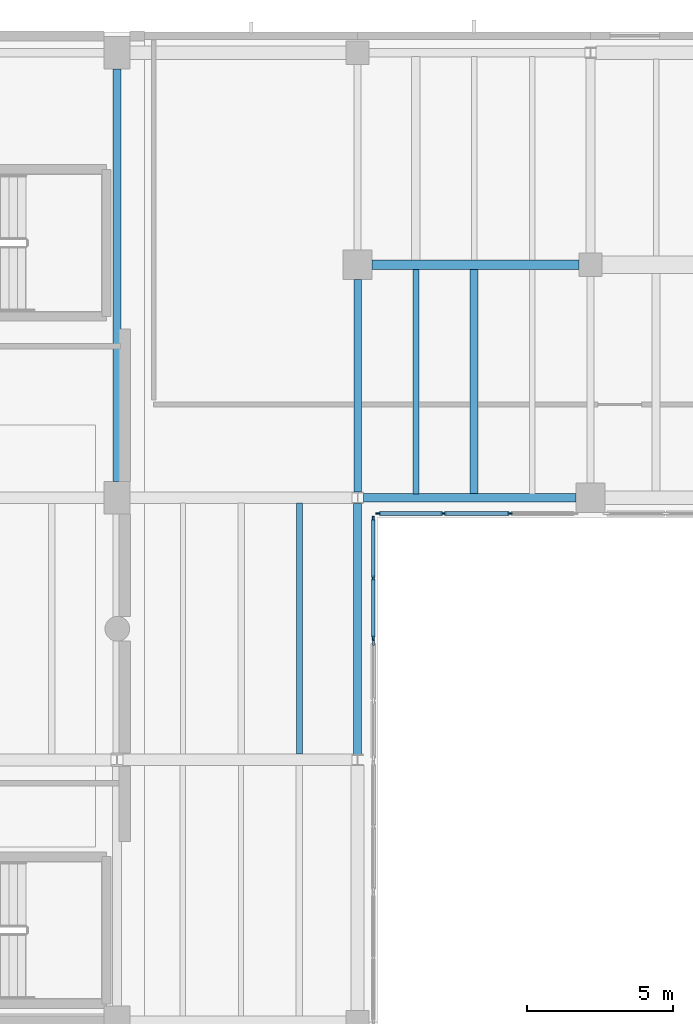
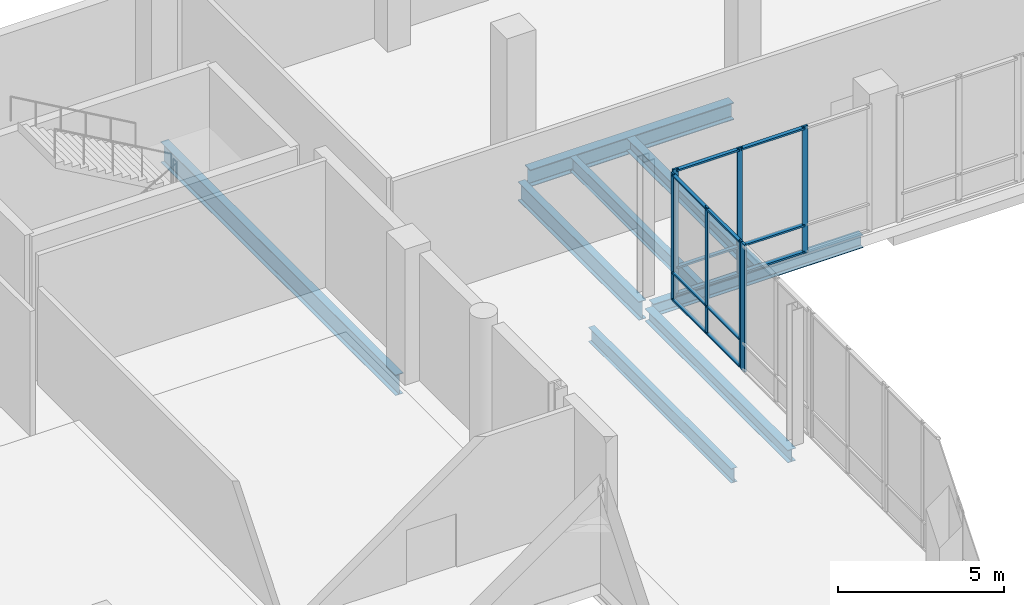
# One storey, part 48 of 88: 19 members, 8 beams, 3 elements without a shape of their own.
"""IFC4 building model written with IfcOpenShell, lengths in metres."""

import ifcopenshell
import ifcopenshell.guid

model = None  # the IFC model being written
_history = None  # IfcOwnerHistory: only IFC2X3 demands one
_inside = {}  # id of a spatial element -> (the spatial element, [elements in it])
_under = {}  # id of a project, library or spatial element -> (it, [spatial elements below it])
_declared = {}  # id of a project -> (the project, [libraries it declares])
_typed = {}  # id of a type object -> (the type object, [elements of that type])
_made_of = {}  # id of a material, layer set ... -> (it, [elements and type objects made of it])


def new_model(schema):
    """Start an empty IFC model of exactly this schema.

    Asked for "IFC4X3", IfcOpenShell would pick the latest addendum, in which some entities
    have other attributes; the version numbers below select the first issue.
    IFC2X3 requires an IfcOwnerHistory on every rooted entity: one is made here for all.
    """
    global model, _history
    if schema == "IFC4X3":
        model = ifcopenshell.file(schema_version=(4, 3, 0, 0))
    else:
        model = ifcopenshell.file(schema=schema)
    _inside.clear()
    _under.clear()
    _declared.clear()
    _typed.clear()
    _made_of.clear()
    _history = None
    if model.schema == "IFC2X3":
        org = make("IfcOrganization", Name="unknown")
        user = make(
            "IfcPersonAndOrganization",
            ThePerson=make("IfcPerson", FamilyName="unknown"),
            TheOrganization=org,
        )
        app = make(
            "IfcApplication",
            ApplicationDeveloper=org,
            Version="unknown",
            ApplicationFullName="unknown",
            ApplicationIdentifier="unknown",
        )
        _history = make(
            "IfcOwnerHistory",
            OwningUser=user,
            OwningApplication=app,
            ChangeAction="ADDED",
            CreationDate=0,
        )
    return model


def make(cls, **values):
    """One entity of the class cls with the attributes given. An attribute that is None is left unset."""
    return model.create_entity(
        cls, **{name: value for name, value in values.items() if value is not None}
    )


def rooted(cls, **values):
    """An entity with a GlobalId (a new one), such as an element, a storey or a relation."""
    return make(cls, GlobalId=ifcopenshell.guid.new(), OwnerHistory=_history, **values)


def si_unit(unit_type, name, prefix=None):
    """IfcSIUnit, for example si_unit("LENGTHUNIT", "METRE", prefix="MILLI")."""
    return make("IfcSIUnit", UnitType=unit_type, Prefix=prefix, Name=name)


def assignment(units):
    """IfcUnitAssignment: the units of a project."""
    return None if units is None else make("IfcUnitAssignment", Units=units)


def point(xyz):
    """IfcCartesianPoint."""
    return None if xyz is None else make("IfcCartesianPoint", Coordinates=xyz)


def direction(xyz):
    """IfcDirection."""
    return None if xyz is None else make("IfcDirection", DirectionRatios=xyz)


def frame(location, z_axis=None, x_axis=None):
    """IfcAxis2Placement3D, a coordinate frame: its origin and axes. An axis left out is left unset."""
    return make(
        "IfcAxis2Placement3D",
        Location=point(location),
        Axis=direction(z_axis),
        RefDirection=direction(x_axis),
    )


def frame_2d(location, x_axis=None):
    """IfcAxis2Placement2D, a coordinate frame in the plane: its origin and x axis."""
    return make(
        "IfcAxis2Placement2D", Location=point(location), RefDirection=direction(x_axis)
    )


def origin():
    """The frame at (0, 0, 0) with its axes left unset."""
    return frame((0.0, 0.0, 0.0))


def origin_2d():
    """The frame at (0, 0) in the plane with its x axis left unset."""
    return frame_2d((0.0, 0.0))


def place(relative_to, where):
    """IfcLocalPlacement: puts the frame where relative to a parent placement (None: the world)."""
    return make(
        "IfcLocalPlacement", PlacementRelTo=relative_to, RelativePlacement=where
    )


def context(
    kind, dimensions, precision=None, world=None, true_north=None, identifier=None
):
    """IfcGeometricRepresentationContext, for example the 3D "Model" context."""
    return make(
        "IfcGeometricRepresentationContext",
        ContextIdentifier=identifier,
        ContextType=kind,
        CoordinateSpaceDimension=dimensions,
        Precision=precision,
        WorldCoordinateSystem=world,
        TrueNorth=true_north,
    )


def subcontext(parent, identifier, kind, view, scale=None):
    """IfcGeometricRepresentationSubContext, for example "Body" below "Model"."""
    return make(
        "IfcGeometricRepresentationSubContext",
        ContextIdentifier=identifier,
        ContextType=kind,
        ParentContext=parent,
        TargetScale=scale,
        TargetView=view,
    )


def project(units=None, contexts=None):
    """IfcProject with its units and contexts."""
    return rooted(
        "IfcProject",
        Name="project",
        RepresentationContexts=contexts,
        UnitsInContext=assignment(units),
    )


def spatial(cls, under=None, at=None, **own):
    """A site, building, storey or space (cls), placed at a placement, below another one or the project."""
    s = rooted(cls, ObjectPlacement=at, **own)
    if under is not None:
        _under.setdefault(under.id(), (under, []))[1].append(s)
    return s


def profile(cls, at=None, kind="AREA", **sizes):
    """A parametric profile (cls). Its sizes go by their IFC names, for example OverallWidth=200.0."""
    return make(cls, ProfileType=kind, Position=at, **sizes)


def rectangle(**sizes):
    """IfcRectangleProfileDef."""
    return profile("IfcRectangleProfileDef", **sizes)


def i_section(**sizes):
    """IfcIShapeProfileDef."""
    return profile("IfcIShapeProfileDef", **sizes)


def extrude(swept, where, along, depth):
    """IfcExtrudedAreaSolid: the profile swept, set in the frame where, extruded along a direction by depth."""
    return make(
        "IfcExtrudedAreaSolid",
        SweptArea=swept,
        Position=where,
        ExtrudedDirection=direction(along),
        Depth=depth,
    )


def shape(context_of_items, identifier, shape_type, items):
    """IfcShapeRepresentation: the items that make up one representation, for example the "Body"."""
    return make(
        "IfcShapeRepresentation",
        ContextOfItems=context_of_items,
        RepresentationIdentifier=identifier,
        RepresentationType=shape_type,
        Items=items,
    )


def material(Name=None, Category=None):
    """IfcMaterial."""
    return make("IfcMaterial", Name=Name, Category=Category)


def material_profile(
    of_material, cross_section, Name=None, Category=None, Priority=None
):
    """IfcMaterialProfile: a cross section and its material."""
    return make(
        "IfcMaterialProfile",
        Name=Name,
        Material=of_material,
        Profile=cross_section,
        Priority=Priority,
        Category=Category,
    )


def profile_set(profiles, Name=None, composite=None):
    """IfcMaterialProfileSet."""
    return make(
        "IfcMaterialProfileSet",
        Name=Name,
        MaterialProfiles=profiles,
        CompositeProfile=composite,
    )


def made_of(thing, what):
    """Note that an element or type object is made of a material, layer set ...; save() writes the relation."""
    if what is not None:
        _made_of.setdefault(what.id(), (what, []))[1].append(thing)
    return thing


def type_object(cls, material=None, **own):
    """A type object (cls), such as IfcWallType, which elements share."""
    return made_of(rooted(cls, **own), material)


def element(
    cls,
    number,
    at=None,
    inside=None,
    cuts=None,
    type_object=None,
    material=None,
    context=None,
    identifier="Body",
    shape_type=None,
    held_by="IfcProductDefinitionShape",
    body=None,
    shapes=None,
    **own,
):
    """One element of the class cls, such as IfcWall. Its Tag is "e" and its number.

    at: its placement. inside: the storey or other place that contains it. cuts: it is an
    opening in that element (IfcRelVoidsElement). A single representation is given by context,
    identifier, shape_type and body (its items); several are given by shapes. held_by: the class
    of the entity that holds the representations. save() writes the other relations.
    """
    e = rooted(cls, Tag="e%d" % number, ObjectPlacement=at, **own)
    if body is not None:
        shapes = [shape(context, identifier, shape_type, body)]
    if shapes is not None:
        e.Representation = make(held_by, Representations=shapes)
    if inside is not None:
        _inside.setdefault(inside.id(), (inside, []))[1].append(e)
    if cuts is not None:
        rooted(
            "IfcRelVoidsElement", RelatingBuildingElement=cuts, RelatedOpeningElement=e
        )
    if type_object is not None:
        _typed.setdefault(type_object.id(), (type_object, []))[1].append(e)
    return made_of(e, material)


def aggregate(whole, parts):
    """IfcRelAggregates: a whole, such as a stair, and the parts it consists of."""
    return rooted("IfcRelAggregates", RelatingObject=whole, RelatedObjects=parts)


def save(model, path):
    """Write the relations noted so far, then the file.

    IfcRelAggregates (storeys below a building ...), IfcRelContainedInSpatialStructure (elements
    in a storey), IfcRelDefinesByType, IfcRelAssociatesMaterial and IfcRelDeclares: one each for
    every whole, place, type object, material and project.
    """
    for whole, parts in _under.values():
        aggregate(whole, parts)
    for where, things in _inside.values():
        rooted(
            "IfcRelContainedInSpatialStructure",
            RelatedElements=things,
            RelatingStructure=where,
        )
    for kind, things in _typed.values():
        rooted("IfcRelDefinesByType", RelatedObjects=things, RelatingType=kind)
    for what, things in _made_of.values():
        rooted("IfcRelAssociatesMaterial", RelatedObjects=things, RelatingMaterial=what)
    for by, libraries in _declared.values():
        rooted("IfcRelDeclares", RelatingContext=by, RelatedDefinitions=libraries)
    model.write(path)


model = new_model("IFC4")

# Units and contexts
model_context = context("Model", 3, precision=1e-05, world=origin(), true_north=direction((0.0, 1.0)))
body_context = subcontext(model_context, "Body", "Model", "MODEL_VIEW")
ifc_project = project(units=[si_unit("LENGTHUNIT", "METRE"), si_unit("AREAUNIT", "SQUARE_METRE"), si_unit("VOLUMEUNIT", "CUBIC_METRE"), si_unit("PLANEANGLEUNIT", "RADIAN"), si_unit("MASSUNIT", "GRAM", prefix="KILO")], contexts=[model_context])

# Site, building, storey
site_placement = place(None, origin())
site = spatial("IfcSite", under=ifc_project, at=site_placement, CompositionType="ELEMENT")
building_placement = place(site_placement, origin())
building = spatial("IfcBuilding", under=site, at=building_placement, Name="Trimount Lyric Opera House", CompositionType="ELEMENT")
storey_placement = place(building_placement, origin())
storey = spatial("IfcBuildingStorey", under=building, at=storey_placement, Name="L00", CompositionType="ELEMENT", Elevation=0.0)

# Beams
ifc_material_1 = material(Name="Steel ASTM A992 Grade 50", Category="steel")
ifc_material_profile_1 = material_profile(ifc_material_1, i_section(OverallWidth=0.26708984375, OverallDepth=0.761962890625, WebThickness=0.014404296875, FlangeThickness=0.021484375, FilletRadius=0.01708984375, at=origin_2d()), Name="W30X116")
ifc_profile_set_1 = profile_set([ifc_material_profile_1], Name="Steel ASTM A992 Grade 50")
beam_type_1 = type_object("IfcBeamType", Name="B-07", PredefinedType="BEAM", material=ifc_profile_set_1)
beam_1_placement = place(storey_placement, frame((113.739990234375, 102.550048828125, -0.781005859375), z_axis=(0.0, 1.0, 0.0), x_axis=(-1.0, 0.0, 0.0)))
element("IfcBeam", 1, at=beam_1_placement, inside=storey, type_object=beam_type_1, Name="L00 girder Y-0380", PredefinedType="BEAM", context=body_context, shape_type="SweptSolid", body=[
    extrude(i_section(OverallWidth=0.26708984375, OverallDepth=0.761962890625, WebThickness=0.014404296875, FlangeThickness=0.021484375, FilletRadius=0.01708984375, at=origin_2d()), origin(), (0.0, 0.0, 1.0), 14.179931640625),
])
ifc_material_2 = material(Name="Steel ASTM A992 Grade 50", Category="steel")
ifc_material_profile_2 = material_profile(ifc_material_2, i_section(OverallWidth=0.25390625, OverallDepth=0.68798828125, WebThickness=0.01318359375, FlangeThickness=0.02099609375, FilletRadius=0.01611328125, at=origin_2d()), Name="W27X102")
ifc_profile_set_2 = profile_set([ifc_material_profile_2], Name="Steel ASTM A992 Grade 50")
beam_type_2 = type_object("IfcBeamType", Name="B-09", PredefinedType="BEAM", material=ifc_profile_set_2)
beam_2_placement = place(storey_placement, frame((122.0, 102.193115234375, -0.72412109375), z_axis=(0.0, 1.0, 0.0), x_axis=(-1.0, 0.0, 0.0)))
element("IfcBeam", 2, at=beam_2_placement, inside=storey, type_object=beam_type_2, Name="L00 girder Y-0392", PredefinedType="BEAM", context=body_context, shape_type="SweptSolid", body=[
    extrude(i_section(OverallWidth=0.25390625, OverallDepth=0.68798828125, WebThickness=0.01318359375, FlangeThickness=0.02099609375, FilletRadius=0.01611328125, at=origin_2d()), origin(), (0.0, 0.0, 1.0), 7.306884765625),
])
ifc_material_3 = material(Name="Steel ASTM A992 Grade 50", Category="steel")
ifc_material_profile_3 = material_profile(ifc_material_3, i_section(OverallWidth=0.327880859375, OverallDepth=0.626953125, WebThickness=0.0166015625, FlangeThickness=0.027587890625, FilletRadius=0.01611328125, at=origin_2d()), Name="W24X146")
ifc_profile_set_3 = profile_set([ifc_material_profile_3], Name="Steel ASTM A992 Grade 50")
beam_type_3 = type_object("IfcBeamType", Name="B-10", PredefinedType="BEAM", material=ifc_profile_set_3)
beam_3_placement = place(storey_placement, frame((122.5, 110.0, -0.693603515625), z_axis=(1.0, 0.0, 0.0), x_axis=(0.0, 1.0, 0.0)))
element("IfcBeam", 3, at=beam_3_placement, inside=storey, type_object=beam_type_3, Name="L00 girder X-0212", PredefinedType="BEAM", context=body_context, shape_type="SweptSolid", body=[
    extrude(i_section(OverallWidth=0.327880859375, OverallDepth=0.626953125, WebThickness=0.0166015625, FlangeThickness=0.027587890625, FilletRadius=0.01611328125, at=origin_2d()), origin(), (0.0, 0.0, 1.0), 7.10009765625),
])
ifc_material_4 = material(Name="Steel ASTM A992 Grade 50", Category="steel")
ifc_material_profile_4 = material_profile(ifc_material_4, i_section(OverallWidth=0.2099609375, OverallDepth=0.532958984375, WebThickness=0.01025390625, FlangeThickness=0.015625, FilletRadius=0.012939453125, at=origin_2d()), Name="W21X62")
ifc_profile_set_4 = profile_set([ifc_material_profile_4], Name="Steel ASTM A992 Grade 50")
beam_type_4 = type_object("IfcBeamType", Name="J-02", PredefinedType="BEAM", material=ifc_profile_set_4)
beam_4_placement = place(storey_placement, frame((120.0, 93.196533203125, -0.646484375), z_axis=(0.0, 1.0, 0.0), x_axis=(-1.0, 0.0, 0.0)))
element("IfcBeam", 4, at=beam_4_placement, inside=storey, type_object=beam_type_4, Name="L00 composite floor joist 0368", PredefinedType="BEAM", context=body_context, shape_type="SweptSolid", body=[
    extrude(i_section(OverallWidth=0.2099609375, OverallDepth=0.532958984375, WebThickness=0.01025390625, FlangeThickness=0.015625, FilletRadius=0.012939453125, at=origin_2d()), origin(), (0.0, 0.0, 1.0), 8.616455078125),
])
beam_5_placement = place(storey_placement, frame((124.0, 102.136962890625, -0.646484375), z_axis=(0.0, 1.0, 0.0), x_axis=(-1.0, 0.0, 0.0)))
element("IfcBeam", 5, at=beam_5_placement, inside=storey, type_object=beam_type_4, Name="L00 composite floor joist 0393", PredefinedType="BEAM", context=body_context, shape_type="SweptSolid", body=[
    extrude(i_section(OverallWidth=0.2099609375, OverallDepth=0.532958984375, WebThickness=0.01025390625, FlangeThickness=0.015625, FilletRadius=0.012939453125, at=origin_2d()), origin(), (0.0, 0.0, 1.0), 7.703125),
])
ifc_material_5 = material(Name="Steel ASTM A992 Grade 50", Category="steel")
ifc_material_profile_5 = material_profile(ifc_material_5, i_section(OverallWidth=0.281982421875, OverallDepth=0.467041015625, WebThickness=0.01220703125, FlangeThickness=0.01953125, FilletRadius=0.012939453125, at=origin_2d()), Name="W18X86")
ifc_profile_set_5 = profile_set([ifc_material_profile_5], Name="Steel ASTM A992 Grade 50")
beam_type_5 = type_object("IfcBeamType", Name="J-03", PredefinedType="BEAM", material=ifc_profile_set_5)
beam_6_placement = place(storey_placement, frame((126.0, 102.136962890625, -0.613525390625), z_axis=(0.0, 1.0, 0.0), x_axis=(-1.0, 0.0, 0.0)))
element("IfcBeam", 6, at=beam_6_placement, inside=storey, type_object=beam_type_5, Name="L00 composite floor joist 0394", PredefinedType="BEAM", context=body_context, shape_type="SweptSolid", body=[
    extrude(i_section(OverallWidth=0.281982421875, OverallDepth=0.467041015625, WebThickness=0.01220703125, FlangeThickness=0.01953125, FilletRadius=0.012939453125, at=origin_2d()), origin(), (0.0, 0.0, 1.0), 7.703125),
])

# Curtain wall, member
ifc_material_6 = material(Name="Thermally Broken Aluminium and Low-E Glass", Category="aluminium")
curtain_wall_type = type_object("IfcCurtainWallType", Name="CW-03", PredefinedType="NOTDEFINED", material=ifc_material_6)
curtain_wall_1_placement = place(storey_placement, origin())
curtain_wall_1 = element("IfcCurtainWall", 7, at=curtain_wall_1_placement, inside=storey, type_object=curtain_wall_type, Name="L00 curtain wall 054", PredefinedType="NOTDEFINED")
ifc_material_7 = material(Name="Anodised Aluminium 6063-T6", Category="aluminium")
ifc_material_profile_6 = material_profile(ifc_material_7, rectangle(XDim=0.070068359375, YDim=0.219970703125, at=origin_2d()), Name="ALU-MULL-70X220")
ifc_profile_set_6 = profile_set([ifc_material_profile_6], Name="Anodised Aluminium 6063-T6")
member_type_1 = type_object("IfcMemberType", Name="ML-01", PredefinedType="MULLION", material=ifc_profile_set_6)
member_1_placement = place(storey_placement, frame((122.5400390625, 97.034912109375, 0.0), z_axis=(0.0, 0.0, 1.0), x_axis=(1.0, 0.0, 0.0)))
member_1 = element("IfcMember", 8, at=member_1_placement, type_object=member_type_1, Name="CW-03 mullion 1", PredefinedType="MULLION", context=body_context, shape_type="SweptSolid", body=[
    extrude(rectangle(XDim=0.070068359375, YDim=0.219970703125, at=origin_2d()), origin(), (0.0, 0.0, 1.0), 4.68994140625),
])
aggregate(curtain_wall_1, [member_1])

# Curtain wall, members
curtain_wall_2_placement = place(storey_placement, origin())
curtain_wall_2 = element("IfcCurtainWall", 9, at=curtain_wall_2_placement, inside=storey, type_object=curtain_wall_type, Name="L00 curtain wall 052", PredefinedType="NOTDEFINED")
ifc_material_8 = material(Name="Anodised Aluminium 6063-T6", Category="aluminium")
ifc_material_profile_7 = material_profile(ifc_material_8, rectangle(XDim=0.06494140625, YDim=0.179931640625, at=origin_2d()), Name="ALU-MULL-65X180")
ifc_profile_set_7 = profile_set([ifc_material_profile_7], Name="Anodised Aluminium 6063-T6")
member_type_2 = type_object("IfcMemberType", Name="ML-02", PredefinedType="MULLION", material=ifc_profile_set_7)
member_2_placement = place(storey_placement, frame((127.2265625, 101.4599609375, 0.0), z_axis=(0.0, 0.0, 1.0), x_axis=(0.0, -1.0, 0.0)))
member_2 = element("IfcMember", 10, at=member_2_placement, type_object=member_type_2, Name="CW-03 mullion 2", PredefinedType="MULLION", context=body_context, shape_type="SweptSolid", body=[
    extrude(rectangle(XDim=0.06494140625, YDim=0.179931640625, at=origin_2d()), origin(), (0.0, 0.0, 1.0), 4.68994140625),
])
member_3_placement = place(storey_placement, frame((124.953369140625, 101.4599609375, 0.0), z_axis=(0.0, 0.0, 1.0), x_axis=(0.0, -1.0, 0.0)))
member_3 = element("IfcMember", 11, at=member_3_placement, type_object=member_type_2, Name="CW-03 mullion 3", PredefinedType="MULLION", context=body_context, shape_type="SweptSolid", body=[
    extrude(rectangle(XDim=0.06494140625, YDim=0.179931640625, at=origin_2d()), origin(), (0.0, 0.0, 1.0), 4.68994140625),
])
member_4_placement = place(storey_placement, frame((122.71240234375, 101.4599609375, 0.0), z_axis=(0.0, 0.0, 1.0), x_axis=(0.0, -1.0, 0.0)))
member_4 = element("IfcMember", 12, at=member_4_placement, type_object=member_type_2, Name="CW-03 mullion 4", PredefinedType="MULLION", context=body_context, shape_type="SweptSolid", body=[
    extrude(rectangle(XDim=0.06494140625, YDim=0.179931640625, at=origin_2d()), origin(), (0.0, 0.0, 1.0), 4.68994140625),
])

curtain_wall_3_placement = place(storey_placement, origin())
curtain_wall_3 = element("IfcCurtainWall", 13, at=curtain_wall_3_placement, inside=storey, type_object=curtain_wall_type, Name="L00 curtain wall 053", PredefinedType="NOTDEFINED")
ifc_material_9 = material(Name="Anodised Aluminium 6063-T6", Category="aluminium")
ifc_material_profile_8 = material_profile(ifc_material_9, rectangle(XDim=0.06005859375, YDim=0.14990234375, at=origin_2d()), Name="ALU-MULL-60X150")
ifc_profile_set_8 = profile_set([ifc_material_profile_8], Name="Anodised Aluminium 6063-T6")
member_type_3 = type_object("IfcMemberType", Name="ML-03", PredefinedType="MULLION", material=ifc_profile_set_8)
member_5_placement = place(storey_placement, frame((122.5400390625, 101.2900390625, 0.0), z_axis=(0.0, 0.0, 1.0), x_axis=(1.0, 0.0, 0.0)))
member_5 = element("IfcMember", 14, at=member_5_placement, type_object=member_type_3, Name="CW-03 mullion 1", PredefinedType="MULLION", context=body_context, shape_type="SweptSolid", body=[
    extrude(rectangle(XDim=0.06005859375, YDim=0.14990234375, at=origin_2d()), origin(), (0.0, 0.0, 1.0), 4.68994140625),
])
member_6_placement = place(storey_placement, frame((122.5400390625, 99.239990234375, 0.0), z_axis=(0.0, 0.0, 1.0), x_axis=(1.0, 0.0, 0.0)))
member_6 = element("IfcMember", 15, at=member_6_placement, type_object=member_type_3, Name="CW-03 mullion 2", PredefinedType="MULLION", context=body_context, shape_type="SweptSolid", body=[
    extrude(rectangle(XDim=0.06005859375, YDim=0.14990234375, at=origin_2d()), origin(), (0.0, 0.0, 1.0), 4.68994140625),
])
member_7_placement = place(storey_placement, frame((122.5400390625, 97.18994140625, 0.0), z_axis=(0.0, 0.0, 1.0), x_axis=(1.0, 0.0, 0.0)))
member_7 = element("IfcMember", 16, at=member_7_placement, type_object=member_type_3, Name="CW-03 mullion 3", PredefinedType="MULLION", context=body_context, shape_type="SweptSolid", body=[
    extrude(rectangle(XDim=0.06005859375, YDim=0.14990234375, at=origin_2d()), origin(), (0.0, 0.0, 1.0), 4.68994140625),
])

# Beams
ifc_material_10 = material(Name="Steel ASTM A992 Grade 50", Category="steel")
ifc_material_profile_9 = material_profile(ifc_material_10, i_section(OverallWidth=0.281982421875, OverallDepth=0.467041015625, WebThickness=0.01220703125, FlangeThickness=0.01953125, FilletRadius=0.012939453125, at=origin_2d()), Name="W18X86")
ifc_profile_set_9 = profile_set([ifc_material_profile_9], Name="Steel ASTM A992 Grade 50")
beam_type_6 = type_object("IfcBeamType", Name="SP-01", PredefinedType="SPANDREL", material=ifc_profile_set_9)
beam_7_placement = place(storey_placement, frame((122.199462890625, 102.0, -0.613525390625), z_axis=(1.0, 0.0, 0.0), x_axis=(0.0, 1.0, 0.0)))
element("IfcBeam", 17, at=beam_7_placement, inside=storey, type_object=beam_type_6, Name="L00 girder X-0199", PredefinedType="SPANDREL", context=body_context, shape_type="SweptSolid", body=[
    extrude(i_section(OverallWidth=0.281982421875, OverallDepth=0.467041015625, WebThickness=0.01220703125, FlangeThickness=0.01953125, FilletRadius=0.012939453125, at=origin_2d()), origin(), (0.0, 0.0, 1.0), 7.300537109375),
])
beam_8_placement = place(storey_placement, frame((122.0, 93.18408203125, -0.613525390625), z_axis=(0.0, 1.0, 0.0), x_axis=(-1.0, 0.0, 0.0)))
element("IfcBeam", 18, at=beam_8_placement, inside=storey, type_object=beam_type_6, Name="L00 girder Y-0391", PredefinedType="SPANDREL", context=body_context, shape_type="SweptSolid", body=[
    extrude(i_section(OverallWidth=0.281982421875, OverallDepth=0.467041015625, WebThickness=0.01220703125, FlangeThickness=0.01953125, FilletRadius=0.012939453125, at=origin_2d()), origin(), (0.0, 0.0, 1.0), 8.622802734375),
])

# Member
ifc_material_11 = material(Name="Anodised Aluminium 6063-T6", Category="aluminium")
ifc_material_profile_10 = material_profile(ifc_material_11, rectangle(XDim=0.135009765625, YDim=0.06494140625, at=origin_2d()), Name="ALU-TRAN-65X135")
ifc_profile_set_10 = profile_set([ifc_material_profile_10], Name="Anodised Aluminium 6063-T6")
member_type_4 = type_object("IfcMemberType", Name="TR-02", PredefinedType="USERDEFINED", material=ifc_profile_set_10)
member_8_placement = place(storey_placement, frame((127.194091796875, 101.4599609375, 0.0673828125), z_axis=(-1.0, 0.0, 0.0), x_axis=(0.0, -1.0, 0.0)))
member_8 = element("IfcMember", 19, at=member_8_placement, type_object=member_type_4, Name="CW-03 transom 2.1", ObjectType="TRANSOM", PredefinedType="USERDEFINED", context=body_context, shape_type="SweptSolid", body=[
    extrude(rectangle(XDim=0.135009765625, YDim=0.06494140625, at=origin_2d()), origin(), (0.0, 0.0, 1.0), 2.208251953125),
])

member_9_placement = place(storey_placement, frame((127.194091796875, 101.4599609375, 1.050048828125), z_axis=(-1.0, 0.0, 0.0), x_axis=(0.0, -1.0, 0.0)))
member_9 = element("IfcMember", 20, at=member_9_placement, type_object=member_type_4, Name="CW-03 transom 2.2", ObjectType="TRANSOM", PredefinedType="USERDEFINED", context=body_context, shape_type="SweptSolid", body=[
    extrude(rectangle(XDim=0.135009765625, YDim=0.06494140625, at=origin_2d()), origin(), (0.0, 0.0, 1.0), 2.208251953125),
])

member_10_placement = place(storey_placement, frame((127.194091796875, 101.4599609375, 4.62255859375), z_axis=(-1.0, 0.0, 0.0), x_axis=(0.0, -1.0, 0.0)))
member_10 = element("IfcMember", 21, at=member_10_placement, type_object=member_type_4, Name="CW-03 transom 2.3", ObjectType="TRANSOM", PredefinedType="USERDEFINED", context=body_context, shape_type="SweptSolid", body=[
    extrude(rectangle(XDim=0.135009765625, YDim=0.06494140625, at=origin_2d()), origin(), (0.0, 0.0, 1.0), 2.208251953125),
])

member_11_placement = place(storey_placement, frame((124.9208984375, 101.4599609375, 0.0673828125), z_axis=(-1.0, 0.0, 0.0), x_axis=(0.0, -1.0, 0.0)))
member_11 = element("IfcMember", 22, at=member_11_placement, type_object=member_type_4, Name="CW-03 transom 3.1", ObjectType="TRANSOM", PredefinedType="USERDEFINED", context=body_context, shape_type="SweptSolid", body=[
    extrude(rectangle(XDim=0.135009765625, YDim=0.06494140625, at=origin_2d()), origin(), (0.0, 0.0, 1.0), 2.17578125),
])

member_12_placement = place(storey_placement, frame((124.9208984375, 101.4599609375, 1.050048828125), z_axis=(-1.0, 0.0, 0.0), x_axis=(0.0, -1.0, 0.0)))
member_12 = element("IfcMember", 23, at=member_12_placement, type_object=member_type_4, Name="CW-03 transom 3.2", ObjectType="TRANSOM", PredefinedType="USERDEFINED", context=body_context, shape_type="SweptSolid", body=[
    extrude(rectangle(XDim=0.135009765625, YDim=0.06494140625, at=origin_2d()), origin(), (0.0, 0.0, 1.0), 2.17578125),
])

member_13_placement = place(storey_placement, frame((124.9208984375, 101.4599609375, 4.62255859375), z_axis=(-1.0, 0.0, 0.0), x_axis=(0.0, -1.0, 0.0)))
member_13 = element("IfcMember", 24, at=member_13_placement, type_object=member_type_4, Name="CW-03 transom 3.3", ObjectType="TRANSOM", PredefinedType="USERDEFINED", context=body_context, shape_type="SweptSolid", body=[
    extrude(rectangle(XDim=0.135009765625, YDim=0.06494140625, at=origin_2d()), origin(), (0.0, 0.0, 1.0), 2.17578125),
])

aggregate(curtain_wall_2, [member_2, member_3, member_4, member_8, member_9, member_10, member_11, member_12, member_13])

ifc_material_12 = material(Name="Anodised Aluminium 6063-T6", Category="aluminium")
ifc_material_profile_11 = material_profile(ifc_material_12, rectangle(XDim=0.114990234375, YDim=0.06005859375, at=origin_2d()), Name="ALU-TRAN-60X115")
ifc_profile_set_11 = profile_set([ifc_material_profile_11], Name="Anodised Aluminium 6063-T6")
member_type_5 = type_object("IfcMemberType", Name="TR-03", PredefinedType="USERDEFINED", material=ifc_profile_set_11)
member_14_placement = place(storey_placement, frame((122.5400390625, 101.260009765625, 0.0576171875), z_axis=(0.0, -1.0, 0.0), x_axis=(1.0, 0.0, 0.0)))
member_14 = element("IfcMember", 25, at=member_14_placement, type_object=member_type_5, Name="CW-03 transom 1.1", ObjectType="TRANSOM", PredefinedType="USERDEFINED", context=body_context, shape_type="SweptSolid", body=[
    extrude(rectangle(XDim=0.114990234375, YDim=0.06005859375, at=origin_2d()), origin(), (0.0, 0.0, 1.0), 1.989990234375),
])

member_15_placement = place(storey_placement, frame((122.5400390625, 101.260009765625, 1.050048828125), z_axis=(0.0, -1.0, 0.0), x_axis=(1.0, 0.0, 0.0)))
member_15 = element("IfcMember", 26, at=member_15_placement, type_object=member_type_5, Name="CW-03 transom 1.2", ObjectType="TRANSOM", PredefinedType="USERDEFINED", context=body_context, shape_type="SweptSolid", body=[
    extrude(rectangle(XDim=0.114990234375, YDim=0.06005859375, at=origin_2d()), origin(), (0.0, 0.0, 1.0), 1.989990234375),
])

member_16_placement = place(storey_placement, frame((122.5400390625, 101.260009765625, 4.632568359375), z_axis=(0.0, -1.0, 0.0), x_axis=(1.0, 0.0, 0.0)))
member_16 = element("IfcMember", 27, at=member_16_placement, type_object=member_type_5, Name="CW-03 transom 1.3", ObjectType="TRANSOM", PredefinedType="USERDEFINED", context=body_context, shape_type="SweptSolid", body=[
    extrude(rectangle(XDim=0.114990234375, YDim=0.06005859375, at=origin_2d()), origin(), (0.0, 0.0, 1.0), 1.989990234375),
])

member_17_placement = place(storey_placement, frame((122.5400390625, 99.2099609375, 0.0576171875), z_axis=(0.0, -1.0, 0.0), x_axis=(1.0, 0.0, 0.0)))
member_17 = element("IfcMember", 28, at=member_17_placement, type_object=member_type_5, Name="CW-03 transom 2.1", ObjectType="TRANSOM", PredefinedType="USERDEFINED", context=body_context, shape_type="SweptSolid", body=[
    extrude(rectangle(XDim=0.114990234375, YDim=0.06005859375, at=origin_2d()), origin(), (0.0, 0.0, 1.0), 1.989990234375),
])

member_18_placement = place(storey_placement, frame((122.5400390625, 99.2099609375, 1.050048828125), z_axis=(0.0, -1.0, 0.0), x_axis=(1.0, 0.0, 0.0)))
member_18 = element("IfcMember", 29, at=member_18_placement, type_object=member_type_5, Name="CW-03 transom 2.2", ObjectType="TRANSOM", PredefinedType="USERDEFINED", context=body_context, shape_type="SweptSolid", body=[
    extrude(rectangle(XDim=0.114990234375, YDim=0.06005859375, at=origin_2d()), origin(), (0.0, 0.0, 1.0), 1.989990234375),
])

member_19_placement = place(storey_placement, frame((122.5400390625, 99.2099609375, 4.632568359375), z_axis=(0.0, -1.0, 0.0), x_axis=(1.0, 0.0, 0.0)))
member_19 = element("IfcMember", 30, at=member_19_placement, type_object=member_type_5, Name="CW-03 transom 2.3", ObjectType="TRANSOM", PredefinedType="USERDEFINED", context=body_context, shape_type="SweptSolid", body=[
    extrude(rectangle(XDim=0.114990234375, YDim=0.06005859375, at=origin_2d()), origin(), (0.0, 0.0, 1.0), 1.989990234375),
])

aggregate(curtain_wall_3, [member_5, member_6, member_7, member_14, member_15, member_16, member_17, member_18, member_19])

save(model, "model.ifc")
